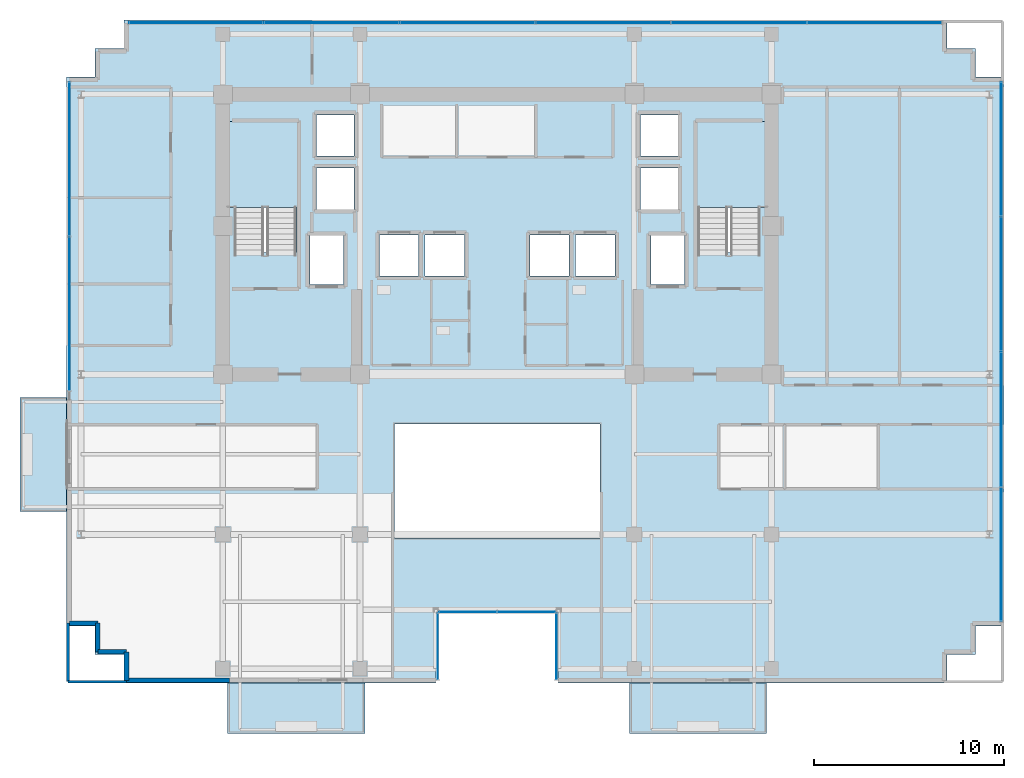
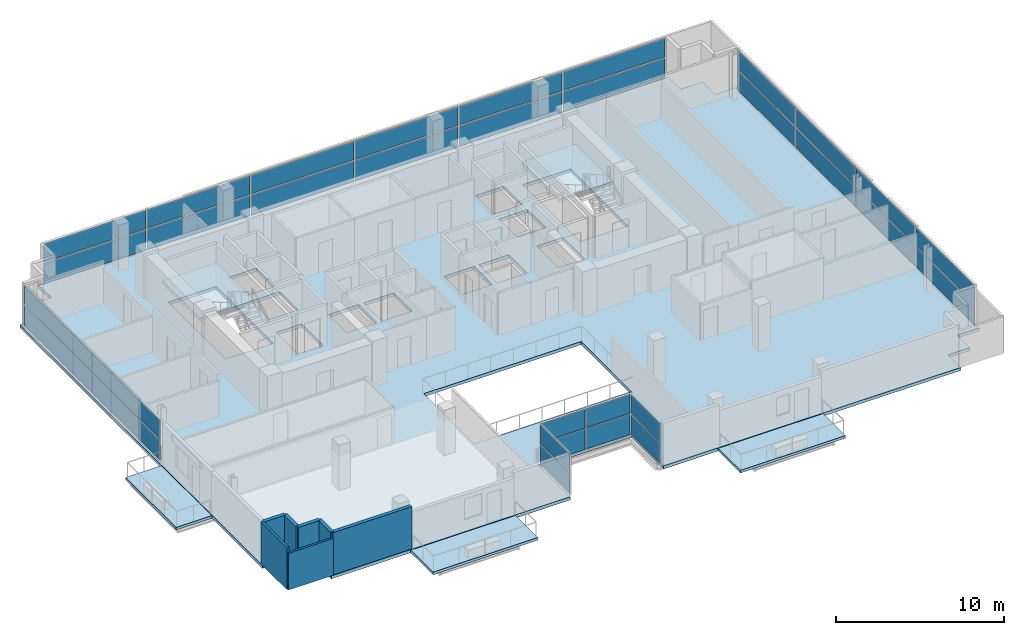
# One storey, part 14 of 22: 32 plates, 7 walls, 6 slabs, 8 elements without a shape of their own.
"""IFC4 building model written with IfcOpenShell, lengths in metres."""

import ifcopenshell
import ifcopenshell.guid

model = None  # the IFC model being written
_history = None  # IfcOwnerHistory: only IFC2X3 demands one
_inside = {}  # id of a spatial element -> (the spatial element, [elements in it])
_under = {}  # id of a project, library or spatial element -> (it, [spatial elements below it])
_declared = {}  # id of a project -> (the project, [libraries it declares])
_typed = {}  # id of a type object -> (the type object, [elements of that type])
_made_of = {}  # id of a material, layer set ... -> (it, [elements and type objects made of it])


def new_model(schema):
    """Start an empty IFC model of exactly this schema.

    Asked for "IFC4X3", IfcOpenShell would pick the latest addendum, in which some entities
    have other attributes; the version numbers below select the first issue.
    IFC2X3 requires an IfcOwnerHistory on every rooted entity: one is made here for all.
    """
    global model, _history
    if schema == "IFC4X3":
        model = ifcopenshell.file(schema_version=(4, 3, 0, 0))
    else:
        model = ifcopenshell.file(schema=schema)
    _inside.clear()
    _under.clear()
    _declared.clear()
    _typed.clear()
    _made_of.clear()
    _history = None
    if model.schema == "IFC2X3":
        org = make("IfcOrganization", Name="unknown")
        user = make(
            "IfcPersonAndOrganization",
            ThePerson=make("IfcPerson", FamilyName="unknown"),
            TheOrganization=org,
        )
        app = make(
            "IfcApplication",
            ApplicationDeveloper=org,
            Version="unknown",
            ApplicationFullName="unknown",
            ApplicationIdentifier="unknown",
        )
        _history = make(
            "IfcOwnerHistory",
            OwningUser=user,
            OwningApplication=app,
            ChangeAction="ADDED",
            CreationDate=0,
        )
    return model


def make(cls, **values):
    """One entity of the class cls with the attributes given. An attribute that is None is left unset."""
    return model.create_entity(
        cls, **{name: value for name, value in values.items() if value is not None}
    )


def rooted(cls, **values):
    """An entity with a GlobalId (a new one), such as an element, a storey or a relation."""
    return make(cls, GlobalId=ifcopenshell.guid.new(), OwnerHistory=_history, **values)


def si_unit(unit_type, name, prefix=None):
    """IfcSIUnit, for example si_unit("LENGTHUNIT", "METRE", prefix="MILLI")."""
    return make("IfcSIUnit", UnitType=unit_type, Prefix=prefix, Name=name)


def assignment(units):
    """IfcUnitAssignment: the units of a project."""
    return None if units is None else make("IfcUnitAssignment", Units=units)


def point(xyz):
    """IfcCartesianPoint."""
    return None if xyz is None else make("IfcCartesianPoint", Coordinates=xyz)


def direction(xyz):
    """IfcDirection."""
    return None if xyz is None else make("IfcDirection", DirectionRatios=xyz)


def frame(location, z_axis=None, x_axis=None):
    """IfcAxis2Placement3D, a coordinate frame: its origin and axes. An axis left out is left unset."""
    return make(
        "IfcAxis2Placement3D",
        Location=point(location),
        Axis=direction(z_axis),
        RefDirection=direction(x_axis),
    )


def frame_2d(location, x_axis=None):
    """IfcAxis2Placement2D, a coordinate frame in the plane: its origin and x axis."""
    return make(
        "IfcAxis2Placement2D", Location=point(location), RefDirection=direction(x_axis)
    )


def origin():
    """The frame at (0, 0, 0) with its axes left unset."""
    return frame((0.0, 0.0, 0.0))


def origin_2d():
    """The frame at (0, 0) in the plane with its x axis left unset."""
    return frame_2d((0.0, 0.0))


def place(relative_to, where):
    """IfcLocalPlacement: puts the frame where relative to a parent placement (None: the world)."""
    return make(
        "IfcLocalPlacement", PlacementRelTo=relative_to, RelativePlacement=where
    )


def context(
    kind, dimensions, precision=None, world=None, true_north=None, identifier=None
):
    """IfcGeometricRepresentationContext, for example the 3D "Model" context."""
    return make(
        "IfcGeometricRepresentationContext",
        ContextIdentifier=identifier,
        ContextType=kind,
        CoordinateSpaceDimension=dimensions,
        Precision=precision,
        WorldCoordinateSystem=world,
        TrueNorth=true_north,
    )


def subcontext(parent, identifier, kind, view, scale=None):
    """IfcGeometricRepresentationSubContext, for example "Body" below "Model"."""
    return make(
        "IfcGeometricRepresentationSubContext",
        ContextIdentifier=identifier,
        ContextType=kind,
        ParentContext=parent,
        TargetScale=scale,
        TargetView=view,
    )


def project(units=None, contexts=None):
    """IfcProject with its units and contexts."""
    return rooted(
        "IfcProject",
        Name="project",
        RepresentationContexts=contexts,
        UnitsInContext=assignment(units),
    )


def spatial(cls, under=None, at=None, **own):
    """A site, building, storey or space (cls), placed at a placement, below another one or the project."""
    s = rooted(cls, ObjectPlacement=at, **own)
    if under is not None:
        _under.setdefault(under.id(), (under, []))[1].append(s)
    return s


def polyline(points):
    """IfcPolyline through the points."""
    return make("IfcPolyline", Points=[point(p) for p in points])


def profile(cls, at=None, kind="AREA", **sizes):
    """A parametric profile (cls). Its sizes go by their IFC names, for example OverallWidth=200.0."""
    return make(cls, ProfileType=kind, Position=at, **sizes)


def rectangle(**sizes):
    """IfcRectangleProfileDef."""
    return profile("IfcRectangleProfileDef", **sizes)


def outline(outer, holes=None, kind="AREA"):
    """IfcArbitraryClosedProfileDef: a profile drawn as a closed curve; with holes, ...WithVoids."""
    if holes is None:
        return make("IfcArbitraryClosedProfileDef", ProfileType=kind, OuterCurve=outer)
    return make(
        "IfcArbitraryProfileDefWithVoids",
        ProfileType=kind,
        OuterCurve=outer,
        InnerCurves=holes,
    )


def extrude(swept, where, along, depth):
    """IfcExtrudedAreaSolid: the profile swept, set in the frame where, extruded along a direction by depth."""
    return make(
        "IfcExtrudedAreaSolid",
        SweptArea=swept,
        Position=where,
        ExtrudedDirection=direction(along),
        Depth=depth,
    )


def shape(context_of_items, identifier, shape_type, items):
    """IfcShapeRepresentation: the items that make up one representation, for example the "Body"."""
    return make(
        "IfcShapeRepresentation",
        ContextOfItems=context_of_items,
        RepresentationIdentifier=identifier,
        RepresentationType=shape_type,
        Items=items,
    )


def source(mapping_origin, context_of_items, identifier, shape_type, items):
    """IfcRepresentationMap: a shape defined once, which mapped items show again and again."""
    return make(
        "IfcRepresentationMap",
        MappingOrigin=mapping_origin,
        MappedRepresentation=shape(context_of_items, identifier, shape_type, items),
    )


def transform(
    local_origin,
    x_axis=None,
    y_axis=None,
    z_axis=None,
    scale=None,
    scale2=None,
    scale3=None,
    uniform=True,
):
    """IfcCartesianTransformationOperator3D, or its non-uniform kind. x_axis, y_axis, z_axis: its Axis1, 2, 3."""
    if uniform:
        return make(
            "IfcCartesianTransformationOperator3D",
            Axis1=direction(x_axis),
            Axis2=direction(y_axis),
            LocalOrigin=point(local_origin),
            Scale=scale,
            Axis3=direction(z_axis),
        )
    return make(
        "IfcCartesianTransformationOperator3DnonUniform",
        Axis1=direction(x_axis),
        Axis2=direction(y_axis),
        LocalOrigin=point(local_origin),
        Scale=scale,
        Axis3=direction(z_axis),
        Scale2=scale2,
        Scale3=scale3,
    )


def mapped(mapping_source, mapping_target):
    """IfcMappedItem: shows the shape of a source again, moved by a transform."""
    return make(
        "IfcMappedItem", MappingSource=mapping_source, MappingTarget=mapping_target
    )


def material(Name=None, Category=None):
    """IfcMaterial."""
    return make("IfcMaterial", Name=Name, Category=Category)


def layer(
    of_material, thickness, ventilated=None, Name=None, Category=None, Priority=None
):
    """IfcMaterialLayer: one layer of a wall or slab, of a material (None: an air gap)."""
    return make(
        "IfcMaterialLayer",
        Material=of_material,
        LayerThickness=thickness,
        IsVentilated=ventilated,
        Name=Name,
        Category=Category,
        Priority=Priority,
    )


def layer_set(layers, Name=None):
    """IfcMaterialLayerSet."""
    return make("IfcMaterialLayerSet", MaterialLayers=layers, LayerSetName=Name)


def made_of(thing, what):
    """Note that an element or type object is made of a material, layer set ...; save() writes the relation."""
    if what is not None:
        _made_of.setdefault(what.id(), (what, []))[1].append(thing)
    return thing


def type_object(cls, material=None, **own):
    """A type object (cls), such as IfcWallType, which elements share."""
    return made_of(rooted(cls, **own), material)


def element(
    cls,
    number,
    at=None,
    inside=None,
    cuts=None,
    type_object=None,
    material=None,
    context=None,
    identifier="Body",
    shape_type=None,
    held_by="IfcProductDefinitionShape",
    body=None,
    shapes=None,
    **own,
):
    """One element of the class cls, such as IfcWall. Its Tag is "e" and its number.

    at: its placement. inside: the storey or other place that contains it. cuts: it is an
    opening in that element (IfcRelVoidsElement). A single representation is given by context,
    identifier, shape_type and body (its items); several are given by shapes. held_by: the class
    of the entity that holds the representations. save() writes the other relations.
    """
    e = rooted(cls, Tag="e%d" % number, ObjectPlacement=at, **own)
    if body is not None:
        shapes = [shape(context, identifier, shape_type, body)]
    if shapes is not None:
        e.Representation = make(held_by, Representations=shapes)
    if inside is not None:
        _inside.setdefault(inside.id(), (inside, []))[1].append(e)
    if cuts is not None:
        rooted(
            "IfcRelVoidsElement", RelatingBuildingElement=cuts, RelatedOpeningElement=e
        )
    if type_object is not None:
        _typed.setdefault(type_object.id(), (type_object, []))[1].append(e)
    return made_of(e, material)


def aggregate(whole, parts):
    """IfcRelAggregates: a whole, such as a stair, and the parts it consists of."""
    return rooted("IfcRelAggregates", RelatingObject=whole, RelatedObjects=parts)


def save(model, path):
    """Write the relations noted so far, then the file.

    IfcRelAggregates (storeys below a building ...), IfcRelContainedInSpatialStructure (elements
    in a storey), IfcRelDefinesByType, IfcRelAssociatesMaterial and IfcRelDeclares: one each for
    every whole, place, type object, material and project.
    """
    for whole, parts in _under.values():
        aggregate(whole, parts)
    for where, things in _inside.values():
        rooted(
            "IfcRelContainedInSpatialStructure",
            RelatedElements=things,
            RelatingStructure=where,
        )
    for kind, things in _typed.values():
        rooted("IfcRelDefinesByType", RelatedObjects=things, RelatingType=kind)
    for what, things in _made_of.values():
        rooted("IfcRelAssociatesMaterial", RelatedObjects=things, RelatingMaterial=what)
    for by, libraries in _declared.values():
        rooted("IfcRelDeclares", RelatingContext=by, RelatedDefinitions=libraries)
    model.write(path)


model = new_model("IFC4")

# Units and contexts
model_context = context("Model", 3, precision=1e-05, world=origin(), true_north=direction((0.0, 1.0)))
body_context = subcontext(model_context, "Body", "Model", "MODEL_VIEW")
ifc_project = project(units=[si_unit("LENGTHUNIT", "METRE"), si_unit("AREAUNIT", "SQUARE_METRE"), si_unit("VOLUMEUNIT", "CUBIC_METRE"), si_unit("PLANEANGLEUNIT", "RADIAN"), si_unit("MASSUNIT", "GRAM", prefix="KILO")], contexts=[model_context])

# Site, building, storey
site_placement = place(None, origin())
site = spatial("IfcSite", under=ifc_project, at=site_placement, CompositionType="ELEMENT")
building_placement = place(site_placement, origin())
building = spatial("IfcBuilding", under=site, at=building_placement, Name="Zarnakvel Exchange Tower", CompositionType="ELEMENT")
storey_placement = place(building_placement, frame((0.0, 0.0, 192.39990234375)))
storey = spatial("IfcBuildingStorey", under=building, at=storey_placement, Name="L54", CompositionType="ELEMENT", Elevation=192.39990234375)

# Stair, slab
ifc_material_1 = material(Name="Concrete C40/50", Category="concrete")
stair_type = type_object("IfcStairType", Name="STR-01", PredefinedType="HALF_TURN_STAIR", material=ifc_material_1)
stair_1_placement = place(storey_placement, origin())
stair_1 = element("IfcStair", 1, at=stair_1_placement, inside=storey, type_object=stair_type, Name="L54 Protected Core Exit Stair ST-01", PredefinedType="HALF_TURN_STAIR")
ifc_layer_1 = layer(ifc_material_1, 0.199951171875)
ifc_layer_set_1 = layer_set([ifc_layer_1], Name="Concrete C40/50")
slab_type_1 = type_object("IfcSlabType", Name="LDG-01", PredefinedType="LANDING", material=ifc_layer_set_1)
slab_1_placement = place(storey_placement, frame((0.0, 0.0, 1.4501953125)))
slab_1 = element("IfcSlab", 2, at=slab_1_placement, type_object=slab_type_1, Name="ST-01 landing 1", PredefinedType="LANDING", context=body_context, shape_type="SweptSolid", body=[
    extrude(outline(polyline([(-14.18994140625, 7.570068359375), (-10.4599609375, 7.570068359375), (-10.4599609375, 12.080078125), (-14.18994140625, 12.080078125), (-14.18994140625, 7.570068359375)])), origin(), (0.0, 0.0, 1.0), 0.199951171875),
])
aggregate(stair_1, [slab_1])

stair_2_placement = place(storey_placement, origin())
stair_2 = element("IfcStair", 3, at=stair_2_placement, inside=storey, type_object=stair_type, Name="L54 Protected Core Exit Stair ST-02", PredefinedType="HALF_TURN_STAIR")
slab_2_placement = place(storey_placement, frame((0.0, 0.0, 1.4501953125)))
slab_2 = element("IfcSlab", 4, at=slab_2_placement, type_object=slab_type_1, Name="ST-02 landing 1", PredefinedType="LANDING", context=body_context, shape_type="SweptSolid", body=[
    extrude(outline(polyline([(10.4599609375, 7.570068359375), (14.18994140625, 7.570068359375), (14.18994140625, 12.080078125), (10.4599609375, 12.080078125), (10.4599609375, 7.570068359375)])), origin(), (0.0, 0.0, 1.0), 0.199951171875),
])
aggregate(stair_2, [slab_2])

# Slabs
ifc_layer_2 = layer(ifc_material_1, 0.22509765625)
ifc_layer_set_2 = layer_set([ifc_layer_2], Name="Concrete C40/50")
slab_type_2 = type_object("IfcSlabType", Name="SL-04", PredefinedType="FLOOR", material=ifc_layer_set_2)
slab_3_placement = place(storey_placement, frame((0.0, 0.0, -0.224853515625)))
element("IfcSlab", 5, at=slab_3_placement, inside=storey, type_object=slab_type_2, Name="L54 Primary Structural Floor Slab", PredefinedType="FLOOR", context=body_context, shape_type="SweptSolid", body=[
    extrude(outline(polyline([(-22.60009765625, -14.39990234375), (-21.10009765625, -14.39990234375), (-21.10009765625, -15.89990234375), (-19.60009765625, -15.89990234375), (-19.60009765625, -17.39990234375), (-3.199951171875, -17.39990234375), (-3.199951171875, -13.60009765625), (3.199951171875, -13.60009765625), (3.199951171875, -17.39990234375), (23.60009765625, -17.39990234375), (23.60009765625, -15.89990234375), (25.10009765625, -15.89990234375), (25.10009765625, -14.39990234375), (26.60009765625, -14.39990234375), (26.60009765625, 14.39990234375), (25.10009765625, 14.39990234375), (25.10009765625, 15.89990234375), (23.60009765625, 15.89990234375), (23.60009765625, 17.39990234375), (-19.60009765625, 17.39990234375), (-19.60009765625, 15.89990234375), (-21.10009765625, 15.89990234375), (-21.10009765625, 14.39990234375), (-22.60009765625, 14.39990234375), (-22.60009765625, -14.39990234375)]), holes=[polyline([(-5.39990234375, -9.800048828125), (5.39990234375, -9.800048828125), (5.39990234375, -3.800048828125), (-5.39990234375, -3.800048828125), (-5.39990234375, -9.800048828125)]), polyline([(-13.800048828125, 5.2099609375), (-10.5400390625, 5.2099609375), (-10.5400390625, 12.0), (-13.800048828125, 12.0), (-13.800048828125, 5.2099609375)]), polyline([(10.5400390625, 5.2099609375), (13.800048828125, 5.2099609375), (13.800048828125, 12.0), (10.5400390625, 12.0), (10.5400390625, 5.2099609375)]), polyline([(-9.830078125, 3.52001953125), (-8.070068359375, 3.52001953125), (-8.070068359375, 6.080078125), (-9.830078125, 6.080078125), (-9.830078125, 3.52001953125)]), polyline([(8.070068359375, 3.52001953125), (9.830078125, 3.52001953125), (9.830078125, 6.080078125), (8.070068359375, 6.080078125), (8.070068359375, 3.52001953125)]), polyline([(-6.179931640625, 3.969970703125), (-4.1201171875, 3.969970703125), (-4.1201171875, 6.1298828125), (-6.179931640625, 6.1298828125), (-6.179931640625, 3.969970703125)]), polyline([(-3.780029296875, 3.969970703125), (-1.719970703125, 3.969970703125), (-1.719970703125, 6.1298828125), (-3.780029296875, 6.1298828125), (-3.780029296875, 3.969970703125)]), polyline([(1.719970703125, 3.969970703125), (3.780029296875, 3.969970703125), (3.780029296875, 6.1298828125), (1.719970703125, 6.1298828125), (1.719970703125, 3.969970703125)]), polyline([(4.1201171875, 3.969970703125), (6.179931640625, 3.969970703125), (6.179931640625, 6.1298828125), (4.1201171875, 6.1298828125), (4.1201171875, 3.969970703125)]), polyline([(-9.47998046875, 7.469970703125), (-7.52001953125, 7.469970703125), (-7.52001953125, 9.6298828125), (-9.47998046875, 9.6298828125), (-9.47998046875, 7.469970703125)]), polyline([(-9.47998046875, 10.27001953125), (-7.52001953125, 10.27001953125), (-7.52001953125, 12.429931640625), (-9.47998046875, 12.429931640625), (-9.47998046875, 10.27001953125)]), polyline([(7.52001953125, 7.469970703125), (9.47998046875, 7.469970703125), (9.47998046875, 9.6298828125), (7.52001953125, 9.6298828125), (7.52001953125, 7.469970703125)]), polyline([(7.52001953125, 10.27001953125), (9.47998046875, 10.27001953125), (9.47998046875, 12.429931640625), (7.52001953125, 12.429931640625), (7.52001953125, 10.27001953125)])]), origin(), (0.0, 0.0, 1.0), 0.224853515625),
])
ifc_layer_3 = layer(ifc_material_1, 0.18994140625)
ifc_layer_set_3 = layer_set([ifc_layer_3], Name="Concrete C40/50")
slab_type_3 = type_object("IfcSlabType", Name="SL-08", PredefinedType="USERDEFINED", material=ifc_layer_set_3)
slab_4_placement = place(storey_placement, frame((0.0, 0.0, -0.224853515625)))
element("IfcSlab", 6, at=slab_4_placement, inside=storey, type_object=slab_type_3, Name="L54 Planted Loggia Balcony Slab BAL-L54-SW", ObjectType="BALCONY", PredefinedType="USERDEFINED", context=body_context, shape_type="SweptSolid", body=[
    extrude(outline(polyline([(-14.14990234375, -20.050048828125), (-6.949951171875, -20.050048828125), (-6.949951171875, -17.39990234375), (-14.14990234375, -17.39990234375), (-14.14990234375, -20.050048828125)])), origin(), (0.0, 0.0, 1.0), 0.18994140625),
])
slab_5_placement = place(storey_placement, frame((0.0, 0.0, -0.224853515625)))
element("IfcSlab", 7, at=slab_5_placement, inside=storey, type_object=slab_type_3, Name="L54 Planted Loggia Balcony Slab BAL-L54-SE", ObjectType="BALCONY", PredefinedType="USERDEFINED", context=body_context, shape_type="SweptSolid", body=[
    extrude(outline(polyline([(6.949951171875, -20.050048828125), (14.14990234375, -20.050048828125), (14.14990234375, -17.39990234375), (6.949951171875, -17.39990234375), (6.949951171875, -20.050048828125)])), origin(), (0.0, 0.0, 1.0), 0.18994140625),
])
slab_6_placement = place(storey_placement, frame((0.0, 0.0, -0.224853515625)))
element("IfcSlab", 8, at=slab_6_placement, inside=storey, type_object=slab_type_3, Name="L54 Planted Loggia Balcony Slab BAL-L54-W", ObjectType="BALCONY", PredefinedType="USERDEFINED", context=body_context, shape_type="SweptSolid", body=[
    extrude(outline(polyline([(-25.050048828125, -8.39990234375), (-22.60009765625, -8.39990234375), (-22.60009765625, -2.39990234375), (-25.050048828125, -2.39990234375), (-25.050048828125, -8.39990234375)])), origin(), (0.0, 0.0, 1.0), 0.18994140625),
])

# Curtain wall, plate
ifc_material_2 = material(Name="Architectural Bronze Anodised Aluminium", Category="aluminium")
ifc_layer_4 = layer(ifc_material_2, 0.179931640625)
ifc_layer_set_4 = layer_set([ifc_layer_4], Name="Architectural Bronze Anodised Aluminium")
curtain_wall_type_1 = type_object("IfcCurtainWallType", Name="CW-05", PredefinedType="NOTDEFINED", material=ifc_layer_set_4)
curtain_wall_1_placement = place(storey_placement, origin())
curtain_wall_1 = element("IfcCurtainWall", 9, at=curtain_wall_1_placement, inside=storey, type_object=curtain_wall_type_1, Name="L54 Curtain Wall CW-L54-SLW (CW-05)", PredefinedType="NOTDEFINED")
ifc_material_3 = material(Name="Double Low-E Laminated Vision Glass", Category="glass")
ifc_layer_5 = layer(ifc_material_3, 0.02587890625)
ifc_layer_set_5 = layer_set([ifc_layer_5], Name="Double Low-E Laminated Vision Glass")
plate_type_1 = type_object("IfcPlateType", Name="CWP-05", PredefinedType="CURTAIN_PANEL", material=ifc_layer_set_5)
shared_shape_1 = source(origin(), body_context, "Body", "SweptSolid", [
    extrude(rectangle(XDim=3.4599609375, YDim=0.02587890625, at=origin_2d()), origin(), (0.0, 0.0, 1.0), 1.483642578125),
])
plate_1_placement = place(storey_placement, frame((-3.1201171875, -15.47998046875, 0.0703125), z_axis=(0.0, 0.0, 1.0), x_axis=(0.0, 1.0, 0.0)))
plate_1 = element("IfcPlate", 10, at=plate_1_placement, type_object=plate_type_1, Name="CW-05 panel 1.1", PredefinedType="CURTAIN_PANEL", context=body_context, shape_type="MappedRepresentation", body=[
    mapped(shared_shape_1, transform((0.0, 0.0, 0.0), x_axis=(1.0, 0.0, 0.0), y_axis=(0.0, 1.0, 0.0), z_axis=(0.0, 0.0, 1.0), scale=1.0)),
])

curtain_wall_2_placement = place(storey_placement, origin())
curtain_wall_2 = element("IfcCurtainWall", 11, at=curtain_wall_2_placement, inside=storey, type_object=curtain_wall_type_1, Name="L54 Curtain Wall CW-L54-SLE (CW-05)", PredefinedType="NOTDEFINED")
plate_2_placement = place(storey_placement, frame((3.1201171875, -15.47998046875, 0.0703125), z_axis=(0.0, 0.0, 1.0), x_axis=(0.0, -1.0, 0.0)))
plate_2 = element("IfcPlate", 12, at=plate_2_placement, type_object=plate_type_1, Name="CW-05 panel 1.1", PredefinedType="CURTAIN_PANEL", context=body_context, shape_type="MappedRepresentation", body=[
    mapped(shared_shape_1, transform((0.0, 0.0, 0.0), x_axis=(1.0, 0.0, 0.0), y_axis=(0.0, 1.0, 0.0), z_axis=(0.0, 0.0, 1.0), scale=1.0)),
])

# Plate
shared_shape_2 = source(origin(), body_context, "Body", "SweptSolid", [
    extrude(rectangle(XDim=3.4599609375, YDim=0.02587890625, at=origin_2d()), origin(), (0.0, 0.0, 1.0), 1.361328125),
])
plate_3_placement = place(storey_placement, frame((-3.1201171875, -15.47998046875, 1.623779296875), z_axis=(0.0, 0.0, 1.0), x_axis=(0.0, 1.0, 0.0)))
plate_3 = element("IfcPlate", 13, at=plate_3_placement, type_object=plate_type_1, Name="CW-05 panel 1.2", PredefinedType="CURTAIN_PANEL", context=body_context, shape_type="MappedRepresentation", body=[
    mapped(shared_shape_2, transform((0.0, 0.0, 0.0), x_axis=(1.0, 0.0, 0.0), y_axis=(0.0, 1.0, 0.0), z_axis=(0.0, 0.0, 1.0), scale=1.0)),
])

aggregate(curtain_wall_1, [plate_1, plate_3])

plate_4_placement = place(storey_placement, frame((3.1201171875, -15.47998046875, 1.623779296875), z_axis=(0.0, 0.0, 1.0), x_axis=(0.0, -1.0, 0.0)))
plate_4 = element("IfcPlate", 14, at=plate_4_placement, type_object=plate_type_1, Name="CW-05 panel 1.2", PredefinedType="CURTAIN_PANEL", context=body_context, shape_type="MappedRepresentation", body=[
    mapped(shared_shape_2, transform((0.0, 0.0, 0.0), x_axis=(1.0, 0.0, 0.0), y_axis=(0.0, 1.0, 0.0), z_axis=(0.0, 0.0, 1.0), scale=1.0)),
])

aggregate(curtain_wall_2, [plate_2, plate_4])

# Curtain wall, plates
curtain_wall_3_placement = place(storey_placement, origin())
curtain_wall_3 = element("IfcCurtainWall", 15, at=curtain_wall_3_placement, inside=storey, type_object=curtain_wall_type_1, Name="L54 Curtain Wall CW-L54-SLB (CW-05)", PredefinedType="NOTDEFINED")
shared_shape_3 = source(origin(), body_context, "Body", "SweptSolid", [
    extrude(rectangle(XDim=3.014892578125, YDim=0.02587890625, at=origin_2d()), origin(), (0.0, 0.0, 1.0), 1.483642578125),
])
plate_5_placement = place(storey_placement, frame((-1.54248046875, -13.679931640625, 0.0703125), z_axis=(0.0, 0.0, 1.0), x_axis=(1.0, 0.0, 0.0)))
plate_5 = element("IfcPlate", 16, at=plate_5_placement, type_object=plate_type_1, Name="CW-05 panel 1.1", PredefinedType="CURTAIN_PANEL", context=body_context, shape_type="MappedRepresentation", body=[
    mapped(shared_shape_3, transform((0.0, 0.0, 0.0), x_axis=(1.0, 0.0, 0.0), y_axis=(0.0, 1.0, 0.0), z_axis=(0.0, 0.0, 1.0), scale=1.0)),
])
plate_6_placement = place(storey_placement, frame((1.54248046875, -13.679931640625, 0.0703125), z_axis=(0.0, 0.0, 1.0), x_axis=(1.0, 0.0, 0.0)))
plate_6 = element("IfcPlate", 17, at=plate_6_placement, type_object=plate_type_1, Name="CW-05 panel 2.1", PredefinedType="CURTAIN_PANEL", context=body_context, shape_type="MappedRepresentation", body=[
    mapped(shared_shape_3, transform((0.0, 0.0, 0.0), x_axis=(1.0, 0.0, 0.0), y_axis=(0.0, 1.0, 0.0), z_axis=(0.0, 0.0, 1.0), scale=1.0)),
])
shared_shape_4 = source(origin(), body_context, "Body", "SweptSolid", [
    extrude(rectangle(XDim=3.014892578125, YDim=0.02587890625, at=origin_2d()), origin(), (0.0, 0.0, 1.0), 1.361328125),
])
plate_7_placement = place(storey_placement, frame((-1.54248046875, -13.679931640625, 1.623779296875), z_axis=(0.0, 0.0, 1.0), x_axis=(1.0, 0.0, 0.0)))
plate_7 = element("IfcPlate", 18, at=plate_7_placement, type_object=plate_type_1, Name="CW-05 panel 1.2", PredefinedType="CURTAIN_PANEL", context=body_context, shape_type="MappedRepresentation", body=[
    mapped(shared_shape_4, transform((0.0, 0.0, 0.0), x_axis=(1.0, 0.0, 0.0), y_axis=(0.0, 1.0, 0.0), z_axis=(0.0, 0.0, 1.0), scale=1.0)),
])
plate_8_placement = place(storey_placement, frame((1.54248046875, -13.679931640625, 1.623779296875), z_axis=(0.0, 0.0, 1.0), x_axis=(1.0, 0.0, 0.0)))
plate_8 = element("IfcPlate", 19, at=plate_8_placement, type_object=plate_type_1, Name="CW-05 panel 2.2", PredefinedType="CURTAIN_PANEL", context=body_context, shape_type="MappedRepresentation", body=[
    mapped(shared_shape_4, transform((0.0, 0.0, 0.0), x_axis=(1.0, 0.0, 0.0), y_axis=(0.0, 1.0, 0.0), z_axis=(0.0, 0.0, 1.0), scale=1.0)),
])
aggregate(curtain_wall_3, [plate_5, plate_7, plate_6, plate_8])

ifc_layer_6 = layer(ifc_material_2, 0.219970703125)
ifc_layer_set_6 = layer_set([ifc_layer_6], Name="Architectural Bronze Anodised Aluminium")
curtain_wall_type_2 = type_object("IfcCurtainWallType", Name="CW-03", PredefinedType="NOTDEFINED", material=ifc_layer_set_6)
curtain_wall_4_placement = place(storey_placement, origin())
curtain_wall_4 = element("IfcCurtainWall", 20, at=curtain_wall_4_placement, inside=storey, type_object=curtain_wall_type_2, Name="L54 Curtain Wall CW-L54-N1 (CW-03)", PredefinedType="NOTDEFINED")
ifc_layer_7 = layer(ifc_material_3, 0.030029296875)
ifc_layer_set_7 = layer_set([ifc_layer_7], Name="Double Low-E Laminated Vision Glass")
plate_type_2 = type_object("IfcPlateType", Name="CWP-03", PredefinedType="CURTAIN_PANEL", material=ifc_layer_set_7)
shared_shape_5 = source(origin(), body_context, "Body", "SweptSolid", [
    extrude(rectangle(XDim=7.013427734375, YDim=0.030029296875, at=origin_2d()), origin(), (0.0, 0.0, 1.0), 1.468505859375),
])
plate_9_placement = place(storey_placement, frame((-15.813232421875, 17.260009765625, 0.080078125), z_axis=(0.0, 0.0, 1.0), x_axis=(1.0, 0.0, 0.0)))
plate_9 = element("IfcPlate", 21, at=plate_9_placement, type_object=plate_type_2, Name="CW-03 panel 1.1", PredefinedType="CURTAIN_PANEL", context=body_context, shape_type="MappedRepresentation", body=[
    mapped(shared_shape_5, transform((0.0, 0.0, 0.0), x_axis=(1.0, 0.0, 0.0), y_axis=(0.0, 1.0, 0.0), z_axis=(0.0, 0.0, 1.0), scale=1.0)),
])
plate_10_placement = place(storey_placement, frame((19.813232421875, 17.260009765625, 0.080078125), z_axis=(0.0, 0.0, 1.0), x_axis=(1.0, 0.0, 0.0)))
plate_10 = element("IfcPlate", 22, at=plate_10_placement, type_object=plate_type_2, Name="CW-03 panel 6.1", PredefinedType="CURTAIN_PANEL", context=body_context, shape_type="MappedRepresentation", body=[
    mapped(shared_shape_5, transform((0.0, 0.0, 0.0), x_axis=(1.0, 0.0, 0.0), y_axis=(0.0, 1.0, 0.0), z_axis=(0.0, 0.0, 1.0), scale=1.0)),
])
shared_shape_6 = source(origin(), body_context, "Body", "SweptSolid", [
    extrude(rectangle(XDim=7.013427734375, YDim=0.030029296875, at=origin_2d()), origin(), (0.0, 0.0, 1.0), 1.346435546875),
])
plate_11_placement = place(storey_placement, frame((-15.813232421875, 17.260009765625, 1.62890625), z_axis=(0.0, 0.0, 1.0), x_axis=(1.0, 0.0, 0.0)))
plate_11 = element("IfcPlate", 23, at=plate_11_placement, type_object=plate_type_2, Name="CW-03 panel 1.2", PredefinedType="CURTAIN_PANEL", context=body_context, shape_type="MappedRepresentation", body=[
    mapped(shared_shape_6, transform((0.0, 0.0, 0.0), x_axis=(1.0, 0.0, 0.0), y_axis=(0.0, 1.0, 0.0), z_axis=(0.0, 0.0, 1.0), scale=1.0)),
])
plate_12_placement = place(storey_placement, frame((19.813232421875, 17.260009765625, 1.62890625), z_axis=(0.0, 0.0, 1.0), x_axis=(1.0, 0.0, 0.0)))
plate_12 = element("IfcPlate", 24, at=plate_12_placement, type_object=plate_type_2, Name="CW-03 panel 6.2", PredefinedType="CURTAIN_PANEL", context=body_context, shape_type="MappedRepresentation", body=[
    mapped(shared_shape_6, transform((0.0, 0.0, 0.0), x_axis=(1.0, 0.0, 0.0), y_axis=(0.0, 1.0, 0.0), z_axis=(0.0, 0.0, 1.0), scale=1.0)),
])
shared_shape_7 = source(origin(), body_context, "Body", "SweptSolid", [
    extrude(rectangle(XDim=7.05322265625, YDim=0.030029296875, at=origin_2d()), origin(), (0.0, 0.0, 1.0), 1.468505859375),
])
plate_13_placement = place(storey_placement, frame((-8.699951171875, 17.260009765625, 0.080078125), z_axis=(0.0, 0.0, 1.0), x_axis=(1.0, 0.0, 0.0)))
plate_13 = element("IfcPlate", 25, at=plate_13_placement, type_object=plate_type_2, Name="CW-03 panel 2.1", PredefinedType="CURTAIN_PANEL", context=body_context, shape_type="MappedRepresentation", body=[
    mapped(shared_shape_7, transform((0.0, 0.0, 0.0), x_axis=(1.0, 0.0, 0.0), y_axis=(0.0, 1.0, 0.0), z_axis=(0.0, 0.0, 1.0), scale=1.0)),
])
plate_14_placement = place(storey_placement, frame((-1.566650390625, 17.260009765625, 0.080078125), z_axis=(0.0, 0.0, 1.0), x_axis=(1.0, 0.0, 0.0)))
plate_14 = element("IfcPlate", 26, at=plate_14_placement, type_object=plate_type_2, Name="CW-03 panel 3.1", PredefinedType="CURTAIN_PANEL", context=body_context, shape_type="MappedRepresentation", body=[
    mapped(shared_shape_7, transform((0.0, 0.0, 0.0), x_axis=(1.0, 0.0, 0.0), y_axis=(0.0, 1.0, 0.0), z_axis=(0.0, 0.0, 1.0), scale=1.0)),
])
plate_15_placement = place(storey_placement, frame((5.566650390625, 17.260009765625, 0.080078125), z_axis=(0.0, 0.0, 1.0), x_axis=(1.0, 0.0, 0.0)))
plate_15 = element("IfcPlate", 27, at=plate_15_placement, type_object=plate_type_2, Name="CW-03 panel 4.1", PredefinedType="CURTAIN_PANEL", context=body_context, shape_type="MappedRepresentation", body=[
    mapped(shared_shape_7, transform((0.0, 0.0, 0.0), x_axis=(1.0, 0.0, 0.0), y_axis=(0.0, 1.0, 0.0), z_axis=(0.0, 0.0, 1.0), scale=1.0)),
])
plate_16_placement = place(storey_placement, frame((12.699951171875, 17.260009765625, 0.080078125), z_axis=(0.0, 0.0, 1.0), x_axis=(1.0, 0.0, 0.0)))
plate_16 = element("IfcPlate", 28, at=plate_16_placement, type_object=plate_type_2, Name="CW-03 panel 5.1", PredefinedType="CURTAIN_PANEL", context=body_context, shape_type="MappedRepresentation", body=[
    mapped(shared_shape_7, transform((0.0, 0.0, 0.0), x_axis=(1.0, 0.0, 0.0), y_axis=(0.0, 1.0, 0.0), z_axis=(0.0, 0.0, 1.0), scale=1.0)),
])
shared_shape_8 = source(origin(), body_context, "Body", "SweptSolid", [
    extrude(rectangle(XDim=7.05322265625, YDim=0.030029296875, at=origin_2d()), origin(), (0.0, 0.0, 1.0), 1.346435546875),
])
plate_17_placement = place(storey_placement, frame((-8.699951171875, 17.260009765625, 1.62890625), z_axis=(0.0, 0.0, 1.0), x_axis=(1.0, 0.0, 0.0)))
plate_17 = element("IfcPlate", 29, at=plate_17_placement, type_object=plate_type_2, Name="CW-03 panel 2.2", PredefinedType="CURTAIN_PANEL", context=body_context, shape_type="MappedRepresentation", body=[
    mapped(shared_shape_8, transform((0.0, 0.0, 0.0), x_axis=(1.0, 0.0, 0.0), y_axis=(0.0, 1.0, 0.0), z_axis=(0.0, 0.0, 1.0), scale=1.0)),
])
plate_18_placement = place(storey_placement, frame((-1.566650390625, 17.260009765625, 1.62890625), z_axis=(0.0, 0.0, 1.0), x_axis=(1.0, 0.0, 0.0)))
plate_18 = element("IfcPlate", 30, at=plate_18_placement, type_object=plate_type_2, Name="CW-03 panel 3.2", PredefinedType="CURTAIN_PANEL", context=body_context, shape_type="MappedRepresentation", body=[
    mapped(shared_shape_8, transform((0.0, 0.0, 0.0), x_axis=(1.0, 0.0, 0.0), y_axis=(0.0, 1.0, 0.0), z_axis=(0.0, 0.0, 1.0), scale=1.0)),
])
plate_19_placement = place(storey_placement, frame((5.566650390625, 17.260009765625, 1.62890625), z_axis=(0.0, 0.0, 1.0), x_axis=(1.0, 0.0, 0.0)))
plate_19 = element("IfcPlate", 31, at=plate_19_placement, type_object=plate_type_2, Name="CW-03 panel 4.2", PredefinedType="CURTAIN_PANEL", context=body_context, shape_type="MappedRepresentation", body=[
    mapped(shared_shape_8, transform((0.0, 0.0, 0.0), x_axis=(1.0, 0.0, 0.0), y_axis=(0.0, 1.0, 0.0), z_axis=(0.0, 0.0, 1.0), scale=1.0)),
])
plate_20_placement = place(storey_placement, frame((12.699951171875, 17.260009765625, 1.62890625), z_axis=(0.0, 0.0, 1.0), x_axis=(1.0, 0.0, 0.0)))
plate_20 = element("IfcPlate", 32, at=plate_20_placement, type_object=plate_type_2, Name="CW-03 panel 5.2", PredefinedType="CURTAIN_PANEL", context=body_context, shape_type="MappedRepresentation", body=[
    mapped(shared_shape_8, transform((0.0, 0.0, 0.0), x_axis=(1.0, 0.0, 0.0), y_axis=(0.0, 1.0, 0.0), z_axis=(0.0, 0.0, 1.0), scale=1.0)),
])
aggregate(curtain_wall_4, [plate_9, plate_11, plate_13, plate_17, plate_14, plate_18, plate_15, plate_19, plate_16, plate_20, plate_10, plate_12])

ifc_layer_8 = layer(ifc_material_2, 0.199951171875)
ifc_layer_set_8 = layer_set([ifc_layer_8], Name="Architectural Bronze Anodised Aluminium")
curtain_wall_type_3 = type_object("IfcCurtainWallType", Name="CW-04", PredefinedType="NOTDEFINED", material=ifc_layer_set_8)
curtain_wall_5_placement = place(storey_placement, origin())
curtain_wall_5 = element("IfcCurtainWall", 33, at=curtain_wall_5_placement, inside=storey, type_object=curtain_wall_type_3, Name="L54 Curtain Wall CW-L54-WN (CW-04)", PredefinedType="NOTDEFINED")
ifc_layer_9 = layer(ifc_material_3, 0.028076171875)
ifc_layer_set_9 = layer_set([ifc_layer_9], Name="Double Low-E Laminated Vision Glass")
plate_type_3 = type_object("IfcPlateType", Name="CWP-04", PredefinedType="CURTAIN_PANEL", material=ifc_layer_set_9)
shared_shape_9 = source(origin(), body_context, "Body", "SweptSolid", [
    extrude(rectangle(XDim=8.03759765625, YDim=0.028076171875, at=origin_2d()), origin(), (0.0, 0.0, 1.0), 1.47607421875),
])
plate_21_placement = place(storey_placement, frame((-22.4599609375, 1.99365234375, 0.0751953125), z_axis=(0.0, 0.0, 1.0), x_axis=(0.0, 1.0, 0.0)))
plate_21 = element("IfcPlate", 34, at=plate_21_placement, type_object=plate_type_3, Name="CW-04 panel 1.1", PredefinedType="CURTAIN_PANEL", context=body_context, shape_type="MappedRepresentation", body=[
    mapped(shared_shape_9, transform((0.0, 0.0, 0.0), x_axis=(1.0, 0.0, 0.0), y_axis=(0.0, 1.0, 0.0), z_axis=(0.0, 0.0, 1.0), scale=1.0)),
])
plate_22_placement = place(storey_placement, frame((-22.4599609375, 10.106201171875, 0.0751953125), z_axis=(0.0, 0.0, 1.0), x_axis=(0.0, 1.0, 0.0)))
plate_22 = element("IfcPlate", 35, at=plate_22_placement, type_object=plate_type_3, Name="CW-04 panel 2.1", PredefinedType="CURTAIN_PANEL", context=body_context, shape_type="MappedRepresentation", body=[
    mapped(shared_shape_9, transform((0.0, 0.0, 0.0), x_axis=(1.0, 0.0, 0.0), y_axis=(0.0, 1.0, 0.0), z_axis=(0.0, 0.0, 1.0), scale=1.0)),
])
shared_shape_10 = source(origin(), body_context, "Body", "SweptSolid", [
    extrude(rectangle(XDim=8.03759765625, YDim=0.028076171875, at=origin_2d()), origin(), (0.0, 0.0, 1.0), 1.35400390625),
])
plate_23_placement = place(storey_placement, frame((-22.4599609375, 1.99365234375, 1.626220703125), z_axis=(0.0, 0.0, 1.0), x_axis=(0.0, 1.0, 0.0)))
plate_23 = element("IfcPlate", 36, at=plate_23_placement, type_object=plate_type_3, Name="CW-04 panel 1.2", PredefinedType="CURTAIN_PANEL", context=body_context, shape_type="MappedRepresentation", body=[
    mapped(shared_shape_10, transform((0.0, 0.0, 0.0), x_axis=(1.0, 0.0, 0.0), y_axis=(0.0, 1.0, 0.0), z_axis=(0.0, 0.0, 1.0), scale=1.0)),
])
plate_24_placement = place(storey_placement, frame((-22.4599609375, 10.106201171875, 1.626220703125), z_axis=(0.0, 0.0, 1.0), x_axis=(0.0, 1.0, 0.0)))
plate_24 = element("IfcPlate", 37, at=plate_24_placement, type_object=plate_type_3, Name="CW-04 panel 2.2", PredefinedType="CURTAIN_PANEL", context=body_context, shape_type="MappedRepresentation", body=[
    mapped(shared_shape_10, transform((0.0, 0.0, 0.0), x_axis=(1.0, 0.0, 0.0), y_axis=(0.0, 1.0, 0.0), z_axis=(0.0, 0.0, 1.0), scale=1.0)),
])
aggregate(curtain_wall_5, [plate_21, plate_23, plate_22, plate_24])

curtain_wall_6_placement = place(storey_placement, origin())
curtain_wall_6 = element("IfcCurtainWall", 38, at=curtain_wall_6_placement, inside=storey, type_object=curtain_wall_type_3, Name="L54 Curtain Wall CW-L54-E1 (CW-04)", PredefinedType="NOTDEFINED")
shared_shape_11 = source(origin(), body_context, "Body", "SweptSolid", [
    extrude(rectangle(XDim=6.987548828125, YDim=0.028076171875, at=origin_2d()), origin(), (0.0, 0.0, 1.0), 1.47607421875),
])
plate_25_placement = place(storey_placement, frame((26.4599609375, -10.63134765625, 0.0751953125), z_axis=(0.0, 0.0, 1.0), x_axis=(0.0, 1.0, 0.0)))
plate_25 = element("IfcPlate", 39, at=plate_25_placement, type_object=plate_type_3, Name="CW-04 panel 1.1", PredefinedType="CURTAIN_PANEL", context=body_context, shape_type="MappedRepresentation", body=[
    mapped(shared_shape_11, transform((0.0, 0.0, 0.0), x_axis=(1.0, 0.0, 0.0), y_axis=(0.0, 1.0, 0.0), z_axis=(0.0, 0.0, 1.0), scale=1.0)),
])
plate_26_placement = place(storey_placement, frame((26.4599609375, 10.63134765625, 0.0751953125), z_axis=(0.0, 0.0, 1.0), x_axis=(0.0, 1.0, 0.0)))
plate_26 = element("IfcPlate", 40, at=plate_26_placement, type_object=plate_type_3, Name="CW-04 panel 4.1", PredefinedType="CURTAIN_PANEL", context=body_context, shape_type="MappedRepresentation", body=[
    mapped(shared_shape_11, transform((0.0, 0.0, 0.0), x_axis=(1.0, 0.0, 0.0), y_axis=(0.0, 1.0, 0.0), z_axis=(0.0, 0.0, 1.0), scale=1.0)),
])
shared_shape_12 = source(origin(), body_context, "Body", "SweptSolid", [
    extrude(rectangle(XDim=6.987548828125, YDim=0.028076171875, at=origin_2d()), origin(), (0.0, 0.0, 1.0), 1.35400390625),
])
plate_27_placement = place(storey_placement, frame((26.4599609375, -10.63134765625, 1.626220703125), z_axis=(0.0, 0.0, 1.0), x_axis=(0.0, 1.0, 0.0)))
plate_27 = element("IfcPlate", 41, at=plate_27_placement, type_object=plate_type_3, Name="CW-04 panel 1.2", PredefinedType="CURTAIN_PANEL", context=body_context, shape_type="MappedRepresentation", body=[
    mapped(shared_shape_12, transform((0.0, 0.0, 0.0), x_axis=(1.0, 0.0, 0.0), y_axis=(0.0, 1.0, 0.0), z_axis=(0.0, 0.0, 1.0), scale=1.0)),
])
plate_28_placement = place(storey_placement, frame((26.4599609375, 10.63134765625, 1.626220703125), z_axis=(0.0, 0.0, 1.0), x_axis=(0.0, 1.0, 0.0)))
plate_28 = element("IfcPlate", 42, at=plate_28_placement, type_object=plate_type_3, Name="CW-04 panel 4.2", PredefinedType="CURTAIN_PANEL", context=body_context, shape_type="MappedRepresentation", body=[
    mapped(shared_shape_12, transform((0.0, 0.0, 0.0), x_axis=(1.0, 0.0, 0.0), y_axis=(0.0, 1.0, 0.0), z_axis=(0.0, 0.0, 1.0), scale=1.0)),
])
shared_shape_13 = source(origin(), body_context, "Body", "SweptSolid", [
    extrude(rectangle(XDim=7.02490234375, YDim=0.028076171875, at=origin_2d()), origin(), (0.0, 0.0, 1.0), 1.47607421875),
])
plate_29_placement = place(storey_placement, frame((26.4599609375, -3.550048828125, 0.0751953125), z_axis=(0.0, 0.0, 1.0), x_axis=(0.0, 1.0, 0.0)))
plate_29 = element("IfcPlate", 43, at=plate_29_placement, type_object=plate_type_3, Name="CW-04 panel 2.1", PredefinedType="CURTAIN_PANEL", context=body_context, shape_type="MappedRepresentation", body=[
    mapped(shared_shape_13, transform((0.0, 0.0, 0.0), x_axis=(1.0, 0.0, 0.0), y_axis=(0.0, 1.0, 0.0), z_axis=(0.0, 0.0, 1.0), scale=1.0)),
])
plate_30_placement = place(storey_placement, frame((26.4599609375, 3.550048828125, 0.0751953125), z_axis=(0.0, 0.0, 1.0), x_axis=(0.0, 1.0, 0.0)))
plate_30 = element("IfcPlate", 44, at=plate_30_placement, type_object=plate_type_3, Name="CW-04 panel 3.1", PredefinedType="CURTAIN_PANEL", context=body_context, shape_type="MappedRepresentation", body=[
    mapped(shared_shape_13, transform((0.0, 0.0, 0.0), x_axis=(1.0, 0.0, 0.0), y_axis=(0.0, 1.0, 0.0), z_axis=(0.0, 0.0, 1.0), scale=1.0)),
])
shared_shape_14 = source(origin(), body_context, "Body", "SweptSolid", [
    extrude(rectangle(XDim=7.02490234375, YDim=0.028076171875, at=origin_2d()), origin(), (0.0, 0.0, 1.0), 1.35400390625),
])
plate_31_placement = place(storey_placement, frame((26.4599609375, -3.550048828125, 1.626220703125), z_axis=(0.0, 0.0, 1.0), x_axis=(0.0, 1.0, 0.0)))
plate_31 = element("IfcPlate", 45, at=plate_31_placement, type_object=plate_type_3, Name="CW-04 panel 2.2", PredefinedType="CURTAIN_PANEL", context=body_context, shape_type="MappedRepresentation", body=[
    mapped(shared_shape_14, transform((0.0, 0.0, 0.0), x_axis=(1.0, 0.0, 0.0), y_axis=(0.0, 1.0, 0.0), z_axis=(0.0, 0.0, 1.0), scale=1.0)),
])
plate_32_placement = place(storey_placement, frame((26.4599609375, 3.550048828125, 1.626220703125), z_axis=(0.0, 0.0, 1.0), x_axis=(0.0, 1.0, 0.0)))
plate_32 = element("IfcPlate", 46, at=plate_32_placement, type_object=plate_type_3, Name="CW-04 panel 3.2", PredefinedType="CURTAIN_PANEL", context=body_context, shape_type="MappedRepresentation", body=[
    mapped(shared_shape_14, transform((0.0, 0.0, 0.0), x_axis=(1.0, 0.0, 0.0), y_axis=(0.0, 1.0, 0.0), z_axis=(0.0, 0.0, 1.0), scale=1.0)),
])
aggregate(curtain_wall_6, [plate_25, plate_27, plate_29, plate_31, plate_30, plate_32, plate_26, plate_28])

# Walls
ifc_material_4 = material(Name="Precast concrete C40/50", Category="concrete")
ifc_layer_10 = layer(ifc_material_4, 0.239990234375)
ifc_layer_set_10 = layer_set([ifc_layer_10], Name="Precast concrete C40/50")
wall_type_1 = type_object("IfcWallType", Name="EW-02", PredefinedType="SOLIDWALL", material=ifc_layer_set_10)
wall_1_placement = place(storey_placement, frame((-19.4599609375, -17.260009765625, 0.0), z_axis=(0.0, 0.0, 1.0), x_axis=(1.0, 0.0, 0.0)))
element("IfcWall", 47, at=wall_1_placement, inside=storey, type_object=wall_type_1, Name="L54 Exterior Precast Spandrel Wall EWC-L54-22 (EW-02)", PredefinedType="SOLIDWALL", context=body_context, shape_type="SweptSolid", body=[
    extrude(rectangle(XDim=5.409912109375, YDim=0.239990234375, at=frame_2d((2.705078125, 0.0))), origin(), (0.0, 0.0, 1.0), 3.0751953125),
])
for number, where, z_axis, x_axis, name in (
    (48, (-19.4599609375, -15.760009765625, 0.0), (0.0, 0.0, 1.0), (0.0, -1.0, 0.0), "L54 Exterior Precast Spandrel Wall EWC-L54-23 (EW-02)"),
    (49, (-20.9599609375, -15.760009765625, 0.0), (0.0, 0.0, 1.0), (1.0, 0.0, 0.0), "L54 Exterior Precast Spandrel Wall EWC-L54-24 (EW-02)"),
    (50, (-20.9599609375, -14.260009765625, 0.0), (0.0, 0.0, 1.0), (0.0, -1.0, 0.0), "L54 Exterior Precast Spandrel Wall EWC-L54-25 (EW-02)"),
    (51, (-22.4599609375, -14.260009765625, 0.0), (0.0, 0.0, 1.0), (1.0, 0.0, 0.0), "L54 Exterior Precast Spandrel Wall EWC-L54-26 (EW-02)"),
):
    element("IfcWall", number, at=place(storey_placement, frame(where, z_axis=z_axis, x_axis=x_axis)), inside=storey, type_object=wall_type_1, Name=name, PredefinedType="SOLIDWALL", context=body_context, shape_type="SweptSolid", body=[
        extrude(rectangle(XDim=1.5, YDim=0.239990234375, at=frame_2d((0.75, 0.0))), origin(), (0.0, 0.0, 1.0), 3.0751953125),
    ])
ifc_material_5 = material(Name="Fire-Rated Gypsum Stud Partition", Category="gypsum")
ifc_layer_11 = layer(ifc_material_5, 0.14990234375)
ifc_layer_set_11 = layer_set([ifc_layer_11], Name="Fire-Rated Gypsum Stud Partition")
wall_type_2 = type_object("IfcWallType", Name="PT-01", PredefinedType="PARTITIONING", material=ifc_layer_set_11)
wall_2_placement = place(storey_placement, frame((-19.4599609375, -17.330078125, 0.0), z_axis=(0.0, 0.0, 1.0), x_axis=(-1.0, 0.0, 0.0)))
element("IfcWall", 52, at=wall_2_placement, inside=storey, type_object=wall_type_2, Name="L54 Partition Wall PWALL-L54-037 (PT-01)", PredefinedType="PARTITIONING", context=body_context, shape_type="SweptSolid", body=[
    extrude(rectangle(XDim=3.070068359375, YDim=0.14990234375, at=frame_2d((1.53515625, 0.0))), origin(), (0.0, 0.0, 1.0), 2.6650390625),
])
wall_3_placement = place(storey_placement, frame((-22.530029296875, -17.330078125, 0.0), z_axis=(0.0, 0.0, 1.0), x_axis=(0.0, 1.0, 0.0)))
element("IfcWall", 53, at=wall_3_placement, inside=storey, type_object=wall_type_2, Name="L54 Partition Wall PWALL-L54-038 (PT-01)", PredefinedType="PARTITIONING", context=body_context, shape_type="SweptSolid", body=[
    extrude(rectangle(XDim=3.070068359375, YDim=0.14990234375, at=frame_2d((1.53515625, 0.0))), origin(), (0.0, 0.0, 1.0), 3.0751953125),
])

save(model, "model.ifc")
